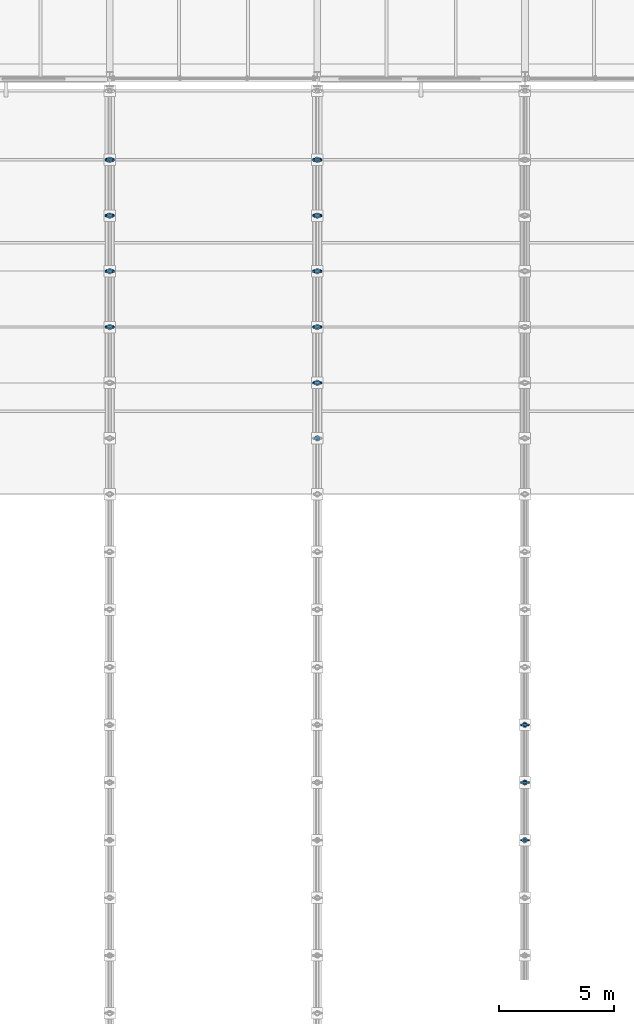
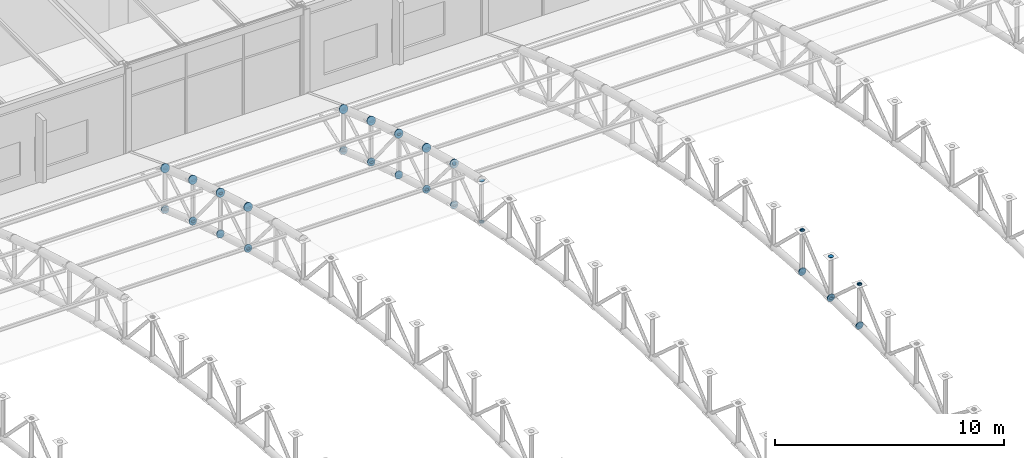
# One storey, part 132 of 195: 91 discrete accessories.
"""IFC4 building model written with IfcOpenShell, lengths in metres."""

from ifc_helpers import new_model, si_unit, direction, frame, origin, origin_2d, place, context, subcontext, project, spatial, circle, extrude, material, element, save


model = new_model("IFC4")

# Units and contexts
model_context = context("Model", 3, precision=1e-05, world=origin(), true_north=direction((0.0, 1.0)))
body_context = subcontext(model_context, "Body", "Model", "MODEL_VIEW")
ifc_project = project(units=[si_unit("LENGTHUNIT", "METRE"), si_unit("AREAUNIT", "SQUARE_METRE"), si_unit("VOLUMEUNIT", "CUBIC_METRE"), si_unit("PLANEANGLEUNIT", "RADIAN"), si_unit("MASSUNIT", "GRAM", prefix="KILO")], contexts=[model_context])

# Site, building, storey
site_placement = place(None, origin())
site = spatial("IfcSite", under=ifc_project, at=site_placement, CompositionType="ELEMENT")
building_placement = place(site_placement, origin())
building = spatial("IfcBuilding", under=site, at=building_placement, Name="Marlcrest Central Station", CompositionType="ELEMENT")
storey_placement = place(building_placement, frame((0.0, 0.0, 9.800048828125)))
storey = spatial("IfcBuildingStorey", under=building, at=storey_placement, Name="L02", CompositionType="ELEMENT", Elevation=9.800048828125)

# Discrete accessories
ifc_material = material(Name="Steel S355", Category="steel")
discrete_accessory_1_placement = place(storey_placement, frame((18.0, 88.225830078125, 3.934326171875), z_axis=(0.0, 0.967539481681, -0.252719906989), x_axis=(-1.0, 0.0, 0.0)))
element("IfcDiscreteAccessory", 1, at=discrete_accessory_1_placement, inside=storey, material=ifc_material, Name="endcap-mem-AC-01-L02-00375-e", ObjectType="END_CAP_PLATE", PredefinedType="BRACKET", context=body_context, shape_type="SweptSolid", body=[
    extrude(circle(Radius=0.211181640625, at=origin_2d()), origin(), (0.0, 0.0, 1.0), 0.0400390625),
])
discrete_accessory_2_placement = place(storey_placement, frame((18.0, 88.225830078125, 1.734375), z_axis=(0.0, 0.967563345928, -0.252628524946), x_axis=(-1.0, 0.0, 0.0)))
element("IfcDiscreteAccessory", 2, at=discrete_accessory_2_placement, inside=storey, material=ifc_material, Name="endcap-mem-AC-02-L02-00376-e", ObjectType="END_CAP_PLATE", PredefinedType="BRACKET", context=body_context, shape_type="SweptSolid", body=[
    extrude(circle(Radius=0.185791015625, at=origin_2d()), origin(), (0.0, 0.0, 1.0), 0.0400390625),
])
discrete_accessory_3_placement = place(storey_placement, frame((18.0, 88.233642578125, 1.7470703125), z_axis=(0.0, 0.649624779144, -0.760254987699), x_axis=(-1.0, 0.0, 0.0)))
element("IfcDiscreteAccessory", 3, at=discrete_accessory_3_placement, inside=storey, material=ifc_material, Name="endcap-mem-AD-01-L02-00378-e", ObjectType="END_CAP_PLATE", PredefinedType="BRACKET", context=body_context, shape_type="SweptSolid", body=[
    extrude(circle(Radius=0.092041015625, at=origin_2d()), origin(), (0.0, 0.0, 1.0), 0.0400390625),
])
for number, where, z_axis, x_axis, name in (
    (4, (18.0, 88.235595703125, 3.93212890625), (0.0, 0.960130083362, -0.27955361386), (-1.0, 0.0, 0.0), "endcap-mem-AC-01-L02-00379-s"),
    (5, (18.0, 90.64599609375, 3.23046875), (0.0, 0.960130083362, -0.27955361386), (-1.0, 0.0, 0.0), "endcap-mem-AC-01-L02-00379-e"),
):
    element("IfcDiscreteAccessory", number, at=place(storey_placement, frame(where, z_axis=z_axis, x_axis=x_axis)), inside=storey, material=ifc_material, Name=name, ObjectType="END_CAP_PLATE", PredefinedType="BRACKET", context=body_context, shape_type="SweptSolid", body=[
        extrude(circle(Radius=0.211181640625, at=origin_2d()), origin(), (0.0, 0.0, 1.0), 0.0400390625),
    ])
for number, where, z_axis, x_axis, name in (
    (6, (18.0, 88.235595703125, 1.732177734375), (0.0, 0.960130083362, -0.27955361386), (-1.0, 0.0, 0.0), "endcap-mem-AC-02-L02-00380-s"),
    (7, (18.0, 90.64599609375, 1.030517578125), (0.0, 0.960130083362, -0.27955361386), (-1.0, 0.0, 0.0), "endcap-mem-AC-02-L02-00380-e"),
):
    element("IfcDiscreteAccessory", number, at=place(storey_placement, frame(where, z_axis=z_axis, x_axis=x_axis)), inside=storey, material=ifc_material, Name=name, ObjectType="END_CAP_PLATE", PredefinedType="BRACKET", context=body_context, shape_type="SweptSolid", body=[
        extrude(circle(Radius=0.185791015625, at=origin_2d()), origin(), (0.0, 0.0, 1.0), 0.0400390625),
    ])
for number, where, z_axis, x_axis, name in (
    (8, (18.0, 88.25, 1.713134765625), (0.0, 0.0, 1.0), (1.0, 0.0, 0.0), "endcap-mem-AP-01-L02-00381-s"),
    (9, (18.0, 88.25, 3.903076171875), (0.0, 0.0, 1.0), (1.0, 0.0, 0.0), "endcap-mem-AP-01-L02-00381-e"),
):
    element("IfcDiscreteAccessory", number, at=place(storey_placement, frame(where, z_axis=z_axis, x_axis=x_axis)), inside=storey, material=ifc_material, Name=name, ObjectType="END_CAP_PLATE", PredefinedType="BRACKET", context=body_context, shape_type="SweptSolid", body=[
        extrude(circle(Radius=0.117431640625, at=origin_2d()), origin(), (0.0, 0.0, 1.0), 0.0400390625),
    ])
for number, where, z_axis, x_axis, name in (
    (10, (18.0, 88.2373046875, 1.72021484375), (0.0, 0.850687380038, 0.525671933286), (-1.0, 0.0, 0.0), "endcap-mem-AD-01-L02-00382-s"),
    (11, (18.0, 90.648681640625, 3.210205078125), (0.0, 0.850687380038, 0.525671933286), (-1.0, 0.0, 0.0), "endcap-mem-AD-01-L02-00382-e"),
):
    element("IfcDiscreteAccessory", number, at=place(storey_placement, frame(where, z_axis=z_axis, x_axis=x_axis)), inside=storey, material=ifc_material, Name=name, ObjectType="END_CAP_PLATE", PredefinedType="BRACKET", context=body_context, shape_type="SweptSolid", body=[
        extrude(circle(Radius=0.092041015625, at=origin_2d()), origin(), (0.0, 0.0, 1.0), 0.0400390625),
    ])
for number, where, z_axis, x_axis, name in (
    (12, (18.0, 90.65576171875, 3.22802734375), (0.0, 0.952116828449, -0.305734435391), (-1.0, 0.0, 0.0), "endcap-mem-AC-01-L02-00383-s"),
    (13, (18.0, 93.056396484375, 2.45703125), (0.0, 0.952116828449, -0.305734435391), (-1.0, 0.0, 0.0), "endcap-mem-AC-01-L02-00383-e"),
):
    element("IfcDiscreteAccessory", number, at=place(storey_placement, frame(where, z_axis=z_axis, x_axis=x_axis)), inside=storey, material=ifc_material, Name=name, ObjectType="END_CAP_PLATE", PredefinedType="BRACKET", context=body_context, shape_type="SweptSolid", body=[
        extrude(circle(Radius=0.211181640625, at=origin_2d()), origin(), (0.0, 0.0, 1.0), 0.0400390625),
    ])
for number, where, z_axis, x_axis, name in (
    (14, (18.0, 90.65576171875, 1.028076171875), (0.0, 0.952116828449, -0.305734435391), (-1.0, 0.0, 0.0), "endcap-mem-AC-02-L02-00384-s"),
    (15, (18.0, 93.056396484375, 0.257080078125), (0.0, 0.952116828449, -0.305734435391), (-1.0, 0.0, 0.0), "endcap-mem-AC-02-L02-00384-e"),
):
    element("IfcDiscreteAccessory", number, at=place(storey_placement, frame(where, z_axis=z_axis, x_axis=x_axis)), inside=storey, material=ifc_material, Name=name, ObjectType="END_CAP_PLATE", PredefinedType="BRACKET", context=body_context, shape_type="SweptSolid", body=[
        extrude(circle(Radius=0.185791015625, at=origin_2d()), origin(), (0.0, 0.0, 1.0), 0.0400390625),
    ])
for number, where, z_axis, x_axis, name in (
    (16, (18.0, 90.669921875, 1.008544921875), (0.0, 0.0, 1.0), (1.0, 0.0, 0.0), "endcap-mem-AP-01-L02-00385-s"),
    (17, (18.0, 90.669921875, 3.198486328125), (0.0, 0.0, 1.0), (1.0, 0.0, 0.0), "endcap-mem-AP-01-L02-00385-e"),
):
    element("IfcDiscreteAccessory", number, at=place(storey_placement, frame(where, z_axis=z_axis, x_axis=x_axis)), inside=storey, material=ifc_material, Name=name, ObjectType="END_CAP_PLATE", PredefinedType="BRACKET", context=body_context, shape_type="SweptSolid", body=[
        extrude(circle(Radius=0.117431640625, at=origin_2d()), origin(), (0.0, 0.0, 1.0), 0.0400390625),
    ])
for number, where, z_axis, x_axis, name in (
    (18, (18.0, 90.660400390625, 3.235107421875), (0.0, 0.62962929743, -0.776895712318), (-1.0, 0.0, 0.0), "endcap-mem-AD-01-L02-00386-s"),
    (19, (18.0, 93.064453125, 0.26904296875), (0.0, 0.62962929743, -0.776895712318), (-1.0, 0.0, 0.0), "endcap-mem-AD-01-L02-00386-e"),
):
    element("IfcDiscreteAccessory", number, at=place(storey_placement, frame(where, z_axis=z_axis, x_axis=x_axis)), inside=storey, material=ifc_material, Name=name, ObjectType="END_CAP_PLATE", PredefinedType="BRACKET", context=body_context, shape_type="SweptSolid", body=[
        extrude(circle(Radius=0.092041015625, at=origin_2d()), origin(), (0.0, 0.0, 1.0), 0.0400390625),
    ])
for number, where, z_axis, x_axis, name in (
    (20, (18.0, 93.06591796875, 2.454345703125), (0.0, 0.94353735649, -0.331266142109), (-1.0, 0.0, 0.0), "endcap-mem-AC-01-L02-00387-s"),
    (21, (18.0, 95.476318359375, 1.608154296875), (0.0, 0.94353735649, -0.331266142109), (-1.0, 0.0, 0.0), "endcap-mem-AC-01-L02-00387-e"),
):
    element("IfcDiscreteAccessory", number, at=place(storey_placement, frame(where, z_axis=z_axis, x_axis=x_axis)), inside=storey, material=ifc_material, Name=name, ObjectType="END_CAP_PLATE", PredefinedType="BRACKET", context=body_context, shape_type="SweptSolid", body=[
        extrude(circle(Radius=0.211181640625, at=origin_2d()), origin(), (0.0, 0.0, 1.0), 0.0400390625),
    ])
for number, where, z_axis, x_axis, name in (
    (22, (18.0, 93.06591796875, 0.25439453125), (0.0, 0.94353735649, -0.331266142109), (-1.0, 0.0, 0.0), "endcap-mem-AC-02-L02-00388-s"),
    (23, (18.0, 95.476318359375, -0.591796875), (0.0, 0.94353735649, -0.331266142109), (-1.0, 0.0, 0.0), "endcap-mem-AC-02-L02-00388-e"),
):
    element("IfcDiscreteAccessory", number, at=place(storey_placement, frame(where, z_axis=z_axis, x_axis=x_axis)), inside=storey, material=ifc_material, Name=name, ObjectType="END_CAP_PLATE", PredefinedType="BRACKET", context=body_context, shape_type="SweptSolid", body=[
        extrude(circle(Radius=0.185791015625, at=origin_2d()), origin(), (0.0, 0.0, 1.0), 0.0400390625),
    ])
for number, where, z_axis, x_axis, name in (
    (24, (18.0, 93.080078125, 0.234619140625), (0.0, 0.0, 1.0), (1.0, 0.0, 0.0), "endcap-mem-AP-01-L02-00389-s"),
    (25, (18.0, 93.080078125, 2.424560546875), (0.0, 0.0, 1.0), (1.0, 0.0, 0.0), "endcap-mem-AP-01-L02-00389-e"),
):
    element("IfcDiscreteAccessory", number, at=place(storey_placement, frame(where, z_axis=z_axis, x_axis=x_axis)), inside=storey, material=ifc_material, Name=name, ObjectType="END_CAP_PLATE", PredefinedType="BRACKET", context=body_context, shape_type="SweptSolid", body=[
        extrude(circle(Radius=0.117431640625, at=origin_2d()), origin(), (0.0, 0.0, 1.0), 0.0400390625),
    ])
for number, where, z_axis, x_axis, name in (
    (26, (18.0, 93.06689453125, 0.2421875), (0.0, 0.873245653167, 0.487280236851), (-1.0, 0.0, 0.0), "endcap-mem-AD-01-L02-00390-s"),
    (27, (18.0, 95.478271484375, 1.587646484375), (0.0, 0.873245653167, 0.487280236851), (-1.0, 0.0, 0.0), "endcap-mem-AD-01-L02-00390-e"),
):
    element("IfcDiscreteAccessory", number, at=place(storey_placement, frame(where, z_axis=z_axis, x_axis=x_axis)), inside=storey, material=ifc_material, Name=name, ObjectType="END_CAP_PLATE", PredefinedType="BRACKET", context=body_context, shape_type="SweptSolid", body=[
        extrude(circle(Radius=0.092041015625, at=origin_2d()), origin(), (0.0, 0.0, 1.0), 0.0400390625),
    ])
discrete_accessory_4_placement = place(storey_placement, frame((18.0, 95.486083984375, 1.605224609375), z_axis=(0.0, 0.933324071143, -0.359035065453), x_axis=(-1.0, 0.0, 0.0)))
element("IfcDiscreteAccessory", 28, at=discrete_accessory_4_placement, inside=storey, material=ifc_material, Name="endcap-mem-AC-01-L02-00391-s", ObjectType="END_CAP_PLATE", PredefinedType="BRACKET", context=body_context, shape_type="SweptSolid", body=[
    extrude(circle(Radius=0.211181640625, at=origin_2d()), origin(), (0.0, 0.0, 1.0), 0.0400390625),
])
for number, where, z_axis, x_axis, name in (
    (29, (18.0, 95.5, -0.614990234375), (0.0, 0.0, 1.0), (1.0, 0.0, 0.0), "endcap-mem-AP-01-L02-00392-s"),
    (30, (18.0, 95.5, 1.574951171875), (0.0, 0.0, 1.0), (1.0, 0.0, 0.0), "endcap-mem-AP-01-L02-00392-e"),
):
    element("IfcDiscreteAccessory", number, at=place(storey_placement, frame(where, z_axis=z_axis, x_axis=x_axis)), inside=storey, material=ifc_material, Name=name, ObjectType="END_CAP_PLATE", PredefinedType="BRACKET", context=body_context, shape_type="SweptSolid", body=[
        extrude(circle(Radius=0.117431640625, at=origin_2d()), origin(), (0.0, 0.0, 1.0), 0.0400390625),
    ])
discrete_accessory_5_placement = place(storey_placement, frame((18.0, 95.48583984375, -0.60498046875), z_axis=(0.0, 0.944260188635, 0.329200085296), x_axis=(-1.0, 0.0, 0.0)))
element("IfcDiscreteAccessory", 31, at=discrete_accessory_5_placement, inside=storey, material=ifc_material, Name="endcap-mem-AD-01-L02-00393-s", ObjectType="END_CAP_PLATE", PredefinedType="BRACKET", context=body_context, shape_type="SweptSolid", body=[
    extrude(circle(Radius=0.092041015625, at=origin_2d()), origin(), (0.0, 0.0, 1.0), 0.0400390625),
])
discrete_accessory_6_placement = place(storey_placement, frame((27.0, 85.8056640625, 4.565673828125), z_axis=(0.0, 0.974329612642, -0.225126200004), x_axis=(-1.0, 0.0, 0.0)))
element("IfcDiscreteAccessory", 32, at=discrete_accessory_6_placement, inside=storey, material=ifc_material, Name="endcap-mem-AC-01-L02-00487-e", ObjectType="END_CAP_PLATE", PredefinedType="BRACKET", context=body_context, shape_type="SweptSolid", body=[
    extrude(circle(Radius=0.211181640625, at=origin_2d()), origin(), (0.0, 0.0, 1.0), 0.0400390625),
])
discrete_accessory_7_placement = place(storey_placement, frame((27.0, 85.8056640625, 2.365478515625), z_axis=(0.0, 0.974307959875, -0.225219891049), x_axis=(-1.0, 0.0, 0.0)))
element("IfcDiscreteAccessory", 33, at=discrete_accessory_7_placement, inside=storey, material=ifc_material, Name="endcap-mem-AC-02-L02-00488-e", ObjectType="END_CAP_PLATE", PredefinedType="BRACKET", context=body_context, shape_type="SweptSolid", body=[
    extrude(circle(Radius=0.185791015625, at=origin_2d()), origin(), (0.0, 0.0, 1.0), 0.0400390625),
])
for number, where, z_axis, x_axis, name in (
    (34, (27.0, 83.419921875, 2.902099609375), (0.0, 0.0, 1.0), (1.0, 0.0, 0.0), "endcap-mem-AP-01-L02-00489-s"),
    (35, (27.0, 83.419921875, 5.092041015625), (0.0, 0.0, 1.0), (1.0, 0.0, 0.0), "endcap-mem-AP-01-L02-00489-e"),
):
    element("IfcDiscreteAccessory", number, at=place(storey_placement, frame(where, z_axis=z_axis, x_axis=x_axis)), inside=storey, material=ifc_material, Name=name, ObjectType="END_CAP_PLATE", PredefinedType="BRACKET", context=body_context, shape_type="SweptSolid", body=[
        extrude(circle(Radius=0.117431640625, at=origin_2d()), origin(), (0.0, 0.0, 1.0), 0.0400390625),
    ])
for number, where, z_axis, x_axis, name in (
    (36, (27.0, 83.407470703125, 2.908447265625), (0.0, 0.82626275624, 0.563284881432), (-1.0, 0.0, 0.0), "endcap-mem-AD-01-L02-00490-s"),
    (37, (27.0, 85.809326171875, 4.5458984375), (0.0, 0.82626275624, 0.563284881432), (-1.0, 0.0, 0.0), "endcap-mem-AD-01-L02-00490-e"),
):
    element("IfcDiscreteAccessory", number, at=place(storey_placement, frame(where, z_axis=z_axis, x_axis=x_axis)), inside=storey, material=ifc_material, Name=name, ObjectType="END_CAP_PLATE", PredefinedType="BRACKET", context=body_context, shape_type="SweptSolid", body=[
        extrude(circle(Radius=0.092041015625, at=origin_2d()), origin(), (0.0, 0.0, 1.0), 0.0400390625),
    ])
for number, where, z_axis, x_axis, name in (
    (38, (27.0, 85.815673828125, 4.56396484375), (0.0, 0.967539481681, -0.252719906989), (-1.0, 0.0, 0.0), "endcap-mem-AC-01-L02-00491-s"),
    (39, (27.0, 88.225830078125, 3.934326171875), (0.0, 0.967539481681, -0.252719906989), (-1.0, 0.0, 0.0), "endcap-mem-AC-01-L02-00491-e"),
):
    element("IfcDiscreteAccessory", number, at=place(storey_placement, frame(where, z_axis=z_axis, x_axis=x_axis)), inside=storey, material=ifc_material, Name=name, ObjectType="END_CAP_PLATE", PredefinedType="BRACKET", context=body_context, shape_type="SweptSolid", body=[
        extrude(circle(Radius=0.211181640625, at=origin_2d()), origin(), (0.0, 0.0, 1.0), 0.0400390625),
    ])
for number, where, z_axis, x_axis, name in (
    (40, (27.0, 85.815673828125, 2.36376953125), (0.0, 0.967563345928, -0.252628524946), (-1.0, 0.0, 0.0), "endcap-mem-AC-02-L02-00492-s"),
    (41, (27.0, 88.225830078125, 1.734375), (0.0, 0.967563345928, -0.252628524946), (-1.0, 0.0, 0.0), "endcap-mem-AC-02-L02-00492-e"),
):
    element("IfcDiscreteAccessory", number, at=place(storey_placement, frame(where, z_axis=z_axis, x_axis=x_axis)), inside=storey, material=ifc_material, Name=name, ObjectType="END_CAP_PLATE", PredefinedType="BRACKET", context=body_context, shape_type="SweptSolid", body=[
        extrude(circle(Radius=0.185791015625, at=origin_2d()), origin(), (0.0, 0.0, 1.0), 0.0400390625),
    ])
for number, where, z_axis, x_axis, name in (
    (42, (27.0, 85.830078125, 2.344970703125), (0.0, 0.0, 1.0), (1.0, 0.0, 0.0), "endcap-mem-AP-01-L02-00493-s"),
    (43, (27.0, 85.830078125, 4.53515625), (0.0, 0.0, 1.0), (1.0, 0.0, 0.0), "endcap-mem-AP-01-L02-00493-e"),
):
    element("IfcDiscreteAccessory", number, at=place(storey_placement, frame(where, z_axis=z_axis, x_axis=x_axis)), inside=storey, material=ifc_material, Name=name, ObjectType="END_CAP_PLATE", PredefinedType="BRACKET", context=body_context, shape_type="SweptSolid", body=[
        extrude(circle(Radius=0.117431640625, at=origin_2d()), origin(), (0.0, 0.0, 1.0), 0.0400390625),
    ])
for number, where, z_axis, x_axis, name in (
    (44, (27.0, 85.8203125, 4.571533203125), (0.0, 0.649624779144, -0.760254987699), (-1.0, 0.0, 0.0), "endcap-mem-AD-01-L02-00494-s"),
    (45, (27.0, 88.233642578125, 1.7470703125), (0.0, 0.649624779144, -0.760254987699), (-1.0, 0.0, 0.0), "endcap-mem-AD-01-L02-00494-e"),
):
    element("IfcDiscreteAccessory", number, at=place(storey_placement, frame(where, z_axis=z_axis, x_axis=x_axis)), inside=storey, material=ifc_material, Name=name, ObjectType="END_CAP_PLATE", PredefinedType="BRACKET", context=body_context, shape_type="SweptSolid", body=[
        extrude(circle(Radius=0.092041015625, at=origin_2d()), origin(), (0.0, 0.0, 1.0), 0.0400390625),
    ])
for number, where, z_axis, x_axis, name in (
    (46, (27.0, 88.235595703125, 3.93212890625), (0.0, 0.960130083362, -0.27955361386), (-1.0, 0.0, 0.0), "endcap-mem-AC-01-L02-00495-s"),
    (47, (27.0, 90.64599609375, 3.23046875), (0.0, 0.960130083362, -0.27955361386), (-1.0, 0.0, 0.0), "endcap-mem-AC-01-L02-00495-e"),
):
    element("IfcDiscreteAccessory", number, at=place(storey_placement, frame(where, z_axis=z_axis, x_axis=x_axis)), inside=storey, material=ifc_material, Name=name, ObjectType="END_CAP_PLATE", PredefinedType="BRACKET", context=body_context, shape_type="SweptSolid", body=[
        extrude(circle(Radius=0.211181640625, at=origin_2d()), origin(), (0.0, 0.0, 1.0), 0.0400390625),
    ])
for number, where, z_axis, x_axis, name in (
    (48, (27.0, 88.235595703125, 1.732177734375), (0.0, 0.960130083362, -0.27955361386), (-1.0, 0.0, 0.0), "endcap-mem-AC-02-L02-00496-s"),
    (49, (27.0, 90.64599609375, 1.030517578125), (0.0, 0.960130083362, -0.27955361386), (-1.0, 0.0, 0.0), "endcap-mem-AC-02-L02-00496-e"),
):
    element("IfcDiscreteAccessory", number, at=place(storey_placement, frame(where, z_axis=z_axis, x_axis=x_axis)), inside=storey, material=ifc_material, Name=name, ObjectType="END_CAP_PLATE", PredefinedType="BRACKET", context=body_context, shape_type="SweptSolid", body=[
        extrude(circle(Radius=0.185791015625, at=origin_2d()), origin(), (0.0, 0.0, 1.0), 0.0400390625),
    ])
for number, where, z_axis, x_axis, name in (
    (50, (27.0, 88.25, 1.713134765625), (0.0, 0.0, 1.0), (1.0, 0.0, 0.0), "endcap-mem-AP-01-L02-00497-s"),
    (51, (27.0, 88.25, 3.903076171875), (0.0, 0.0, 1.0), (1.0, 0.0, 0.0), "endcap-mem-AP-01-L02-00497-e"),
):
    element("IfcDiscreteAccessory", number, at=place(storey_placement, frame(where, z_axis=z_axis, x_axis=x_axis)), inside=storey, material=ifc_material, Name=name, ObjectType="END_CAP_PLATE", PredefinedType="BRACKET", context=body_context, shape_type="SweptSolid", body=[
        extrude(circle(Radius=0.117431640625, at=origin_2d()), origin(), (0.0, 0.0, 1.0), 0.0400390625),
    ])
for number, where, z_axis, x_axis, name in (
    (52, (27.0, 88.2373046875, 1.72021484375), (0.0, 0.850687380038, 0.525671933286), (-1.0, 0.0, 0.0), "endcap-mem-AD-01-L02-00498-s"),
    (53, (27.0, 90.648681640625, 3.210205078125), (0.0, 0.850687380038, 0.525671933286), (-1.0, 0.0, 0.0), "endcap-mem-AD-01-L02-00498-e"),
):
    element("IfcDiscreteAccessory", number, at=place(storey_placement, frame(where, z_axis=z_axis, x_axis=x_axis)), inside=storey, material=ifc_material, Name=name, ObjectType="END_CAP_PLATE", PredefinedType="BRACKET", context=body_context, shape_type="SweptSolid", body=[
        extrude(circle(Radius=0.092041015625, at=origin_2d()), origin(), (0.0, 0.0, 1.0), 0.0400390625),
    ])
for number, where, z_axis, x_axis, name in (
    (54, (27.0, 90.65576171875, 3.22802734375), (0.0, 0.952116828449, -0.305734435391), (-1.0, 0.0, 0.0), "endcap-mem-AC-01-L02-00499-s"),
    (55, (27.0, 93.056396484375, 2.45703125), (0.0, 0.952116828449, -0.305734435391), (-1.0, 0.0, 0.0), "endcap-mem-AC-01-L02-00499-e"),
):
    element("IfcDiscreteAccessory", number, at=place(storey_placement, frame(where, z_axis=z_axis, x_axis=x_axis)), inside=storey, material=ifc_material, Name=name, ObjectType="END_CAP_PLATE", PredefinedType="BRACKET", context=body_context, shape_type="SweptSolid", body=[
        extrude(circle(Radius=0.211181640625, at=origin_2d()), origin(), (0.0, 0.0, 1.0), 0.0400390625),
    ])
for number, where, z_axis, x_axis, name in (
    (56, (27.0, 90.65576171875, 1.028076171875), (0.0, 0.952116828449, -0.305734435391), (-1.0, 0.0, 0.0), "endcap-mem-AC-02-L02-00500-s"),
    (57, (27.0, 93.056396484375, 0.257080078125), (0.0, 0.952116828449, -0.305734435391), (-1.0, 0.0, 0.0), "endcap-mem-AC-02-L02-00500-e"),
):
    element("IfcDiscreteAccessory", number, at=place(storey_placement, frame(where, z_axis=z_axis, x_axis=x_axis)), inside=storey, material=ifc_material, Name=name, ObjectType="END_CAP_PLATE", PredefinedType="BRACKET", context=body_context, shape_type="SweptSolid", body=[
        extrude(circle(Radius=0.185791015625, at=origin_2d()), origin(), (0.0, 0.0, 1.0), 0.0400390625),
    ])
for number, where, z_axis, x_axis, name in (
    (58, (27.0, 90.669921875, 1.008544921875), (0.0, 0.0, 1.0), (1.0, 0.0, 0.0), "endcap-mem-AP-01-L02-00501-s"),
    (59, (27.0, 90.669921875, 3.198486328125), (0.0, 0.0, 1.0), (1.0, 0.0, 0.0), "endcap-mem-AP-01-L02-00501-e"),
):
    element("IfcDiscreteAccessory", number, at=place(storey_placement, frame(where, z_axis=z_axis, x_axis=x_axis)), inside=storey, material=ifc_material, Name=name, ObjectType="END_CAP_PLATE", PredefinedType="BRACKET", context=body_context, shape_type="SweptSolid", body=[
        extrude(circle(Radius=0.117431640625, at=origin_2d()), origin(), (0.0, 0.0, 1.0), 0.0400390625),
    ])
for number, where, z_axis, x_axis, name in (
    (60, (27.0, 90.660400390625, 3.235107421875), (0.0, 0.62962929743, -0.776895712318), (-1.0, 0.0, 0.0), "endcap-mem-AD-01-L02-00502-s"),
    (61, (27.0, 93.064453125, 0.26904296875), (0.0, 0.62962929743, -0.776895712318), (-1.0, 0.0, 0.0), "endcap-mem-AD-01-L02-00502-e"),
):
    element("IfcDiscreteAccessory", number, at=place(storey_placement, frame(where, z_axis=z_axis, x_axis=x_axis)), inside=storey, material=ifc_material, Name=name, ObjectType="END_CAP_PLATE", PredefinedType="BRACKET", context=body_context, shape_type="SweptSolid", body=[
        extrude(circle(Radius=0.092041015625, at=origin_2d()), origin(), (0.0, 0.0, 1.0), 0.0400390625),
    ])
for number, where, z_axis, x_axis, name in (
    (62, (27.0, 93.06591796875, 2.454345703125), (0.0, 0.94353735649, -0.331266142109), (-1.0, 0.0, 0.0), "endcap-mem-AC-01-L02-00503-s"),
    (63, (27.0, 95.476318359375, 1.608154296875), (0.0, 0.94353735649, -0.331266142109), (-1.0, 0.0, 0.0), "endcap-mem-AC-01-L02-00503-e"),
):
    element("IfcDiscreteAccessory", number, at=place(storey_placement, frame(where, z_axis=z_axis, x_axis=x_axis)), inside=storey, material=ifc_material, Name=name, ObjectType="END_CAP_PLATE", PredefinedType="BRACKET", context=body_context, shape_type="SweptSolid", body=[
        extrude(circle(Radius=0.211181640625, at=origin_2d()), origin(), (0.0, 0.0, 1.0), 0.0400390625),
    ])
for number, where, z_axis, x_axis, name in (
    (64, (27.0, 93.06591796875, 0.25439453125), (0.0, 0.94353735649, -0.331266142109), (-1.0, 0.0, 0.0), "endcap-mem-AC-02-L02-00504-s"),
    (65, (27.0, 95.476318359375, -0.591796875), (0.0, 0.94353735649, -0.331266142109), (-1.0, 0.0, 0.0), "endcap-mem-AC-02-L02-00504-e"),
):
    element("IfcDiscreteAccessory", number, at=place(storey_placement, frame(where, z_axis=z_axis, x_axis=x_axis)), inside=storey, material=ifc_material, Name=name, ObjectType="END_CAP_PLATE", PredefinedType="BRACKET", context=body_context, shape_type="SweptSolid", body=[
        extrude(circle(Radius=0.185791015625, at=origin_2d()), origin(), (0.0, 0.0, 1.0), 0.0400390625),
    ])
for number, where, z_axis, x_axis, name in (
    (66, (27.0, 93.080078125, 0.234619140625), (0.0, 0.0, 1.0), (1.0, 0.0, 0.0), "endcap-mem-AP-01-L02-00505-s"),
    (67, (27.0, 93.080078125, 2.424560546875), (0.0, 0.0, 1.0), (1.0, 0.0, 0.0), "endcap-mem-AP-01-L02-00505-e"),
):
    element("IfcDiscreteAccessory", number, at=place(storey_placement, frame(where, z_axis=z_axis, x_axis=x_axis)), inside=storey, material=ifc_material, Name=name, ObjectType="END_CAP_PLATE", PredefinedType="BRACKET", context=body_context, shape_type="SweptSolid", body=[
        extrude(circle(Radius=0.117431640625, at=origin_2d()), origin(), (0.0, 0.0, 1.0), 0.0400390625),
    ])
for number, where, z_axis, x_axis, name in (
    (68, (27.0, 93.06689453125, 0.2421875), (0.0, 0.873245653167, 0.487280236851), (-1.0, 0.0, 0.0), "endcap-mem-AD-01-L02-00506-s"),
    (69, (27.0, 95.478271484375, 1.587646484375), (0.0, 0.873245653167, 0.487280236851), (-1.0, 0.0, 0.0), "endcap-mem-AD-01-L02-00506-e"),
):
    element("IfcDiscreteAccessory", number, at=place(storey_placement, frame(where, z_axis=z_axis, x_axis=x_axis)), inside=storey, material=ifc_material, Name=name, ObjectType="END_CAP_PLATE", PredefinedType="BRACKET", context=body_context, shape_type="SweptSolid", body=[
        extrude(circle(Radius=0.092041015625, at=origin_2d()), origin(), (0.0, 0.0, 1.0), 0.0400390625),
    ])
discrete_accessory_8_placement = place(storey_placement, frame((27.0, 95.486083984375, 1.605224609375), z_axis=(0.0, 0.933324071143, -0.359035065453), x_axis=(-1.0, 0.0, 0.0)))
element("IfcDiscreteAccessory", 70, at=discrete_accessory_8_placement, inside=storey, material=ifc_material, Name="endcap-mem-AC-01-L02-00507-s", ObjectType="END_CAP_PLATE", PredefinedType="BRACKET", context=body_context, shape_type="SweptSolid", body=[
    extrude(circle(Radius=0.211181640625, at=origin_2d()), origin(), (0.0, 0.0, 1.0), 0.0400390625),
])
for number, where, z_axis, x_axis, name in (
    (71, (27.0, 95.5, -0.614990234375), (0.0, 0.0, 1.0), (1.0, 0.0, 0.0), "endcap-mem-AP-01-L02-00508-s"),
    (72, (27.0, 95.5, 1.574951171875), (0.0, 0.0, 1.0), (1.0, 0.0, 0.0), "endcap-mem-AP-01-L02-00508-e"),
):
    element("IfcDiscreteAccessory", number, at=place(storey_placement, frame(where, z_axis=z_axis, x_axis=x_axis)), inside=storey, material=ifc_material, Name=name, ObjectType="END_CAP_PLATE", PredefinedType="BRACKET", context=body_context, shape_type="SweptSolid", body=[
        extrude(circle(Radius=0.117431640625, at=origin_2d()), origin(), (0.0, 0.0, 1.0), 0.0400390625),
    ])
discrete_accessory_9_placement = place(storey_placement, frame((27.0, 95.48583984375, -0.60498046875), z_axis=(0.0, 0.944260188635, 0.329200085296), x_axis=(-1.0, 0.0, 0.0)))
element("IfcDiscreteAccessory", 73, at=discrete_accessory_9_placement, inside=storey, material=ifc_material, Name="endcap-mem-AD-01-L02-00509-s", ObjectType="END_CAP_PLATE", PredefinedType="BRACKET", context=body_context, shape_type="SweptSolid", body=[
    extrude(circle(Radius=0.092041015625, at=origin_2d()), origin(), (0.0, 0.0, 1.0), 0.0400390625),
])
discrete_accessory_10_placement = place(storey_placement, frame((36.0, 65.97509765625, 4.799560546875), z_axis=(0.0, 0.999879472592, 0.01552547228), x_axis=(-1.0, 0.0, 0.0)))
element("IfcDiscreteAccessory", 74, at=discrete_accessory_10_placement, inside=storey, material=ifc_material, Name="endcap-mem-AC-02-L02-00572-e", ObjectType="END_CAP_PLATE", PredefinedType="BRACKET", context=body_context, shape_type="SweptSolid", body=[
    extrude(circle(Radius=0.185791015625, at=origin_2d()), origin(), (0.0, 0.0, 1.0), 0.0400390625),
])
discrete_accessory_11_placement = place(storey_placement, frame((36.0, 65.9814453125, 6.9833984375), z_axis=(0.0, 0.744955843007, 0.66711377738), x_axis=(-1.0, 0.0, 0.0)))
element("IfcDiscreteAccessory", 75, at=discrete_accessory_11_placement, inside=storey, material=ifc_material, Name="endcap-mem-AD-01-L02-00574-e", ObjectType="END_CAP_PLATE", PredefinedType="BRACKET", context=body_context, shape_type="SweptSolid", body=[
    extrude(circle(Radius=0.092041015625, at=origin_2d()), origin(), (0.0, 0.0, 1.0), 0.0400390625),
])
for number, where, z_axis, x_axis, name in (
    (76, (36.0, 65.985107421875, 4.80029296875), (0.0, 0.999879472592, -0.01552547228), (-1.0, 0.0, 0.0), "endcap-mem-AC-02-L02-00576-s"),
    (77, (36.0, 68.47509765625, 4.76171875), (0.0, 0.999879472592, -0.01552547228), (-1.0, 0.0, 0.0), "endcap-mem-AC-02-L02-00576-e"),
):
    element("IfcDiscreteAccessory", number, at=place(storey_placement, frame(where, z_axis=z_axis, x_axis=x_axis)), inside=storey, material=ifc_material, Name=name, ObjectType="END_CAP_PLATE", PredefinedType="BRACKET", context=body_context, shape_type="SweptSolid", body=[
        extrude(circle(Radius=0.185791015625, at=origin_2d()), origin(), (0.0, 0.0, 1.0), 0.0400390625),
    ])
for number, where, z_axis, x_axis, name in (
    (78, (36.0, 66.0, 4.78515625), (0.0, 0.0, 1.0), (1.0, 0.0, 0.0), "endcap-mem-AP-01-L02-00577-s"),
    (79, (36.0, 66.0, 6.97509765625), (0.0, 0.0, 1.0), (1.0, 0.0, 0.0), "endcap-mem-AP-01-L02-00577-e"),
):
    element("IfcDiscreteAccessory", number, at=place(storey_placement, frame(where, z_axis=z_axis, x_axis=x_axis)), inside=storey, material=ifc_material, Name=name, ObjectType="END_CAP_PLATE", PredefinedType="BRACKET", context=body_context, shape_type="SweptSolid", body=[
        extrude(circle(Radius=0.117431640625, at=origin_2d()), origin(), (0.0, 0.0, 1.0), 0.0400390625),
    ])
for number, where, z_axis, x_axis, name in (
    (80, (36.0, 65.98876953125, 7.010009765625), (0.0, 0.744955843007, -0.66711377738), (-1.0, 0.0, 0.0), "endcap-mem-AD-01-L02-00578-s"),
    (81, (36.0, 68.4814453125, 4.77783203125), (0.0, 0.744955843007, -0.66711377738), (-1.0, 0.0, 0.0), "endcap-mem-AD-01-L02-00578-e"),
):
    element("IfcDiscreteAccessory", number, at=place(storey_placement, frame(where, z_axis=z_axis, x_axis=x_axis)), inside=storey, material=ifc_material, Name=name, ObjectType="END_CAP_PLATE", PredefinedType="BRACKET", context=body_context, shape_type="SweptSolid", body=[
        extrude(circle(Radius=0.092041015625, at=origin_2d()), origin(), (0.0, 0.0, 1.0), 0.0400390625),
    ])
for number, where, z_axis, x_axis, name in (
    (82, (36.0, 68.485107421875, 4.761962890625), (0.0, 0.998916819647, -0.046531574509), (-1.0, 0.0, 0.0), "endcap-mem-AC-02-L02-00580-s"),
    (83, (36.0, 70.97509765625, 4.64599609375), (0.0, 0.998916819647, -0.046531574509), (-1.0, 0.0, 0.0), "endcap-mem-AC-02-L02-00580-e"),
):
    element("IfcDiscreteAccessory", number, at=place(storey_placement, frame(where, z_axis=z_axis, x_axis=x_axis)), inside=storey, material=ifc_material, Name=name, ObjectType="END_CAP_PLATE", PredefinedType="BRACKET", context=body_context, shape_type="SweptSolid", body=[
        extrude(circle(Radius=0.185791015625, at=origin_2d()), origin(), (0.0, 0.0, 1.0), 0.0400390625),
    ])
for number, where, z_axis, x_axis, name in (
    (84, (36.0, 68.5, 4.746337890625), (0.0, 0.0, 1.0), (1.0, 0.0, 0.0), "endcap-mem-AP-01-L02-00581-s"),
    (85, (36.0, 68.5, 6.936279296875), (0.0, 0.0, 1.0), (1.0, 0.0, 0.0), "endcap-mem-AP-01-L02-00581-e"),
):
    element("IfcDiscreteAccessory", number, at=place(storey_placement, frame(where, z_axis=z_axis, x_axis=x_axis)), inside=storey, material=ifc_material, Name=name, ObjectType="END_CAP_PLATE", PredefinedType="BRACKET", context=body_context, shape_type="SweptSolid", body=[
        extrude(circle(Radius=0.117431640625, at=origin_2d()), origin(), (0.0, 0.0, 1.0), 0.0400390625),
    ])
for number, where, z_axis, x_axis, name in (
    (86, (36.0, 68.488525390625, 4.751708984375), (0.0, 0.768159787854, 0.640258182552), (-1.0, 0.0, 0.0), "endcap-mem-AD-01-L02-00582-s"),
    (87, (36.0, 70.980712890625, 6.828857421875), (0.0, 0.768159787854, 0.640258182552), (-1.0, 0.0, 0.0), "endcap-mem-AD-01-L02-00582-e"),
):
    element("IfcDiscreteAccessory", number, at=place(storey_placement, frame(where, z_axis=z_axis, x_axis=x_axis)), inside=storey, material=ifc_material, Name=name, ObjectType="END_CAP_PLATE", PredefinedType="BRACKET", context=body_context, shape_type="SweptSolid", body=[
        extrude(circle(Radius=0.092041015625, at=origin_2d()), origin(), (0.0, 0.0, 1.0), 0.0400390625),
    ])
discrete_accessory_12_placement = place(storey_placement, frame((36.0, 70.985107421875, 4.64599609375), z_axis=(0.0, 0.997007334767, -0.077307014043), x_axis=(-1.0, 0.0, 0.0)))
element("IfcDiscreteAccessory", 88, at=discrete_accessory_12_placement, inside=storey, material=ifc_material, Name="endcap-mem-AC-02-L02-00584-s", ObjectType="END_CAP_PLATE", PredefinedType="BRACKET", context=body_context, shape_type="SweptSolid", body=[
    extrude(circle(Radius=0.185791015625, at=origin_2d()), origin(), (0.0, 0.0, 1.0), 0.0400390625),
])
for number, where, z_axis, x_axis, name in (
    (89, (36.0, 71.0, 4.6298828125), (0.0, 0.0, 1.0), (1.0, 0.0, 0.0), "endcap-mem-AP-01-L02-00585-s"),
    (90, (36.0, 71.0, 6.820068359375), (0.0, 0.0, 1.0), (1.0, 0.0, 0.0), "endcap-mem-AP-01-L02-00585-e"),
):
    element("IfcDiscreteAccessory", number, at=place(storey_placement, frame(where, z_axis=z_axis, x_axis=x_axis)), inside=storey, material=ifc_material, Name=name, ObjectType="END_CAP_PLATE", PredefinedType="BRACKET", context=body_context, shape_type="SweptSolid", body=[
        extrude(circle(Radius=0.117431640625, at=origin_2d()), origin(), (0.0, 0.0, 1.0), 0.0400390625),
    ])
discrete_accessory_13_placement = place(storey_placement, frame((36.0, 70.9892578125, 6.855224609375), z_axis=(0.0, 0.722246537655, -0.691635698071), x_axis=(-1.0, 0.0, 0.0)))
element("IfcDiscreteAccessory", 91, at=discrete_accessory_13_placement, inside=storey, material=ifc_material, Name="endcap-mem-AD-01-L02-00586-s", ObjectType="END_CAP_PLATE", PredefinedType="BRACKET", context=body_context, shape_type="SweptSolid", body=[
    extrude(circle(Radius=0.092041015625, at=origin_2d()), origin(), (0.0, 0.0, 1.0), 0.0400390625),
])

save(model, "model.ifc")
